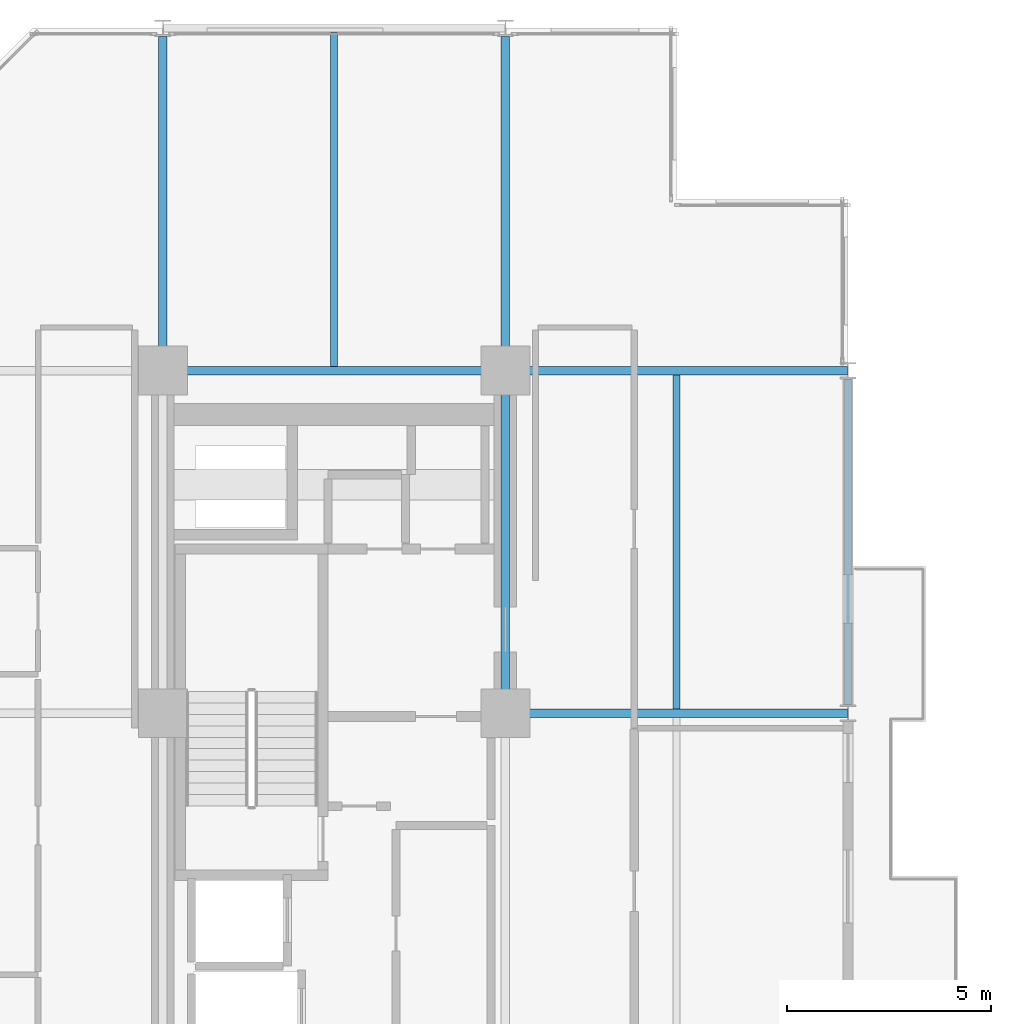
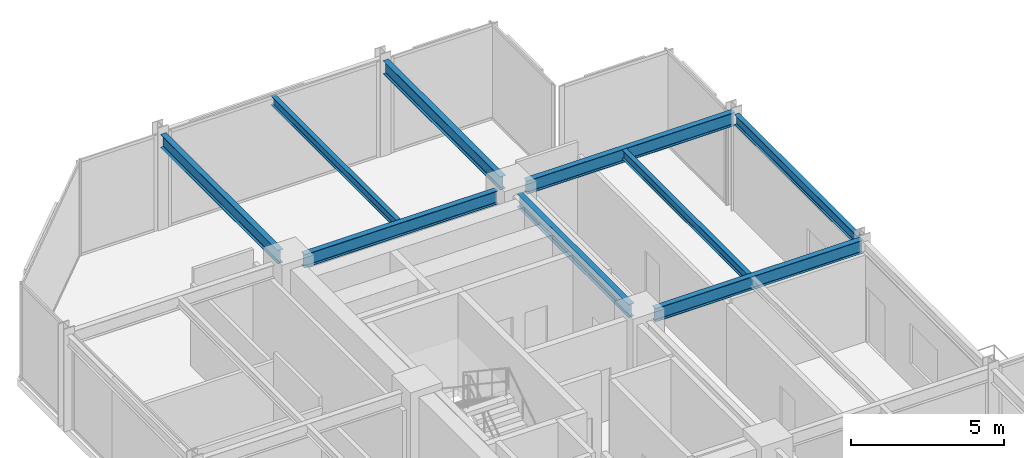
# One storey, part 19 of 29: 9 beams.
"""IFC4 building model written with IfcOpenShell, lengths in metres."""

from ifc_helpers import new_model, si_unit, direction, frame, origin, origin_2d, place, context, subcontext, project, spatial, i_section, extrude, material, material_profile, profile_set, type_object, element, save


model = new_model("IFC4")

# Units and contexts
model_context = context("Model", 3, precision=1e-05, world=origin(), true_north=direction((0.0, 1.0)))
body_context = subcontext(model_context, "Body", "Model", "MODEL_VIEW")
ifc_project = project(units=[si_unit("LENGTHUNIT", "METRE"), si_unit("AREAUNIT", "SQUARE_METRE"), si_unit("VOLUMEUNIT", "CUBIC_METRE"), si_unit("PLANEANGLEUNIT", "RADIAN"), si_unit("MASSUNIT", "GRAM", prefix="KILO")], contexts=[model_context])

# Site, building, storey
site_placement = place(None, origin())
site = spatial("IfcSite", under=ifc_project, at=site_placement, CompositionType="ELEMENT")
building_placement = place(site_placement, origin())
building = spatial("IfcBuilding", under=site, at=building_placement, Name="Nerrivon Quay Data Exchange", CompositionType="ELEMENT")
storey_placement = place(building_placement, frame((0.0, 0.0, 133.60009765625)))
storey = spatial("IfcBuildingStorey", under=building, at=storey_placement, Name="L31", CompositionType="ELEMENT", Elevation=133.60009765625)

# Beams
ifc_material = material(Name="Steel Grade 350", Category="steel")
ifc_material_profile_1 = material_profile(ifc_material, i_section(OverallWidth=0.208984375, OverallDepth=0.532958984375, WebThickness=0.01025390625, FlangeThickness=0.015625, FilletRadius=0.013916015625, at=origin_2d()), Name="530UB92.4")
ifc_profile_set_1 = profile_set([ifc_material_profile_1], Name="Steel Grade 350")
beam_type_1 = type_object("IfcBeamType", Name="BM-G3-530UB92", PredefinedType="BEAM", material=ifc_profile_set_1)
beam_1_placement = place(storey_placement, frame((17.340087890625, 33.60009765625, 3.558349609375), z_axis=(1.0, 0.0, 0.0), x_axis=(0.0, 1.0, 0.0)))
element("IfcBeam", 1, at=beam_1_placement, inside=storey, type_object=beam_type_1, Name="L31 EW Girder Y=33.6 (16.8..25.2)", PredefinedType="BEAM", context=body_context, shape_type="SweptSolid", body=[
    extrude(i_section(OverallWidth=0.208984375, OverallDepth=0.532958984375, WebThickness=0.01025390625, FlangeThickness=0.015625, FilletRadius=0.013916015625, at=origin_2d()), origin(), (0.0, 0.0, 1.0), 7.847412109375),
])
beam_2_placement = place(storey_placement, frame((8.93994140625, 42.0, 3.558349609375), z_axis=(1.0, 0.0, 0.0), x_axis=(0.0, 1.0, 0.0)))
element("IfcBeam", 2, at=beam_2_placement, inside=storey, type_object=beam_type_1, Name="L31 EW Girder Y=42.0 (8.4..16.8)", PredefinedType="BEAM", context=body_context, shape_type="SweptSolid", body=[
    extrude(i_section(OverallWidth=0.208984375, OverallDepth=0.532958984375, WebThickness=0.01025390625, FlangeThickness=0.015625, FilletRadius=0.013916015625, at=origin_2d()), origin(), (0.0, 0.0, 1.0), 7.320068359375),
])
beam_3_placement = place(storey_placement, frame((17.340087890625, 42.0, 3.558349609375), z_axis=(1.0, 0.0, 0.0), x_axis=(0.0, 1.0, 0.0)))
element("IfcBeam", 3, at=beam_3_placement, inside=storey, type_object=beam_type_1, Name="L31 EW Girder Y=42.0 (16.8..25.2)", PredefinedType="BEAM", context=body_context, shape_type="SweptSolid", body=[
    extrude(i_section(OverallWidth=0.208984375, OverallDepth=0.532958984375, WebThickness=0.01025390625, FlangeThickness=0.015625, FilletRadius=0.013916015625, at=origin_2d()), origin(), (0.0, 0.0, 1.0), 7.847412109375),
])
ifc_material_profile_2 = material_profile(ifc_material, i_section(OverallWidth=0.208984375, OverallDepth=0.528076171875, WebThickness=0.009521484375, FlangeThickness=0.01318359375, FilletRadius=0.013916015625, at=origin_2d()), Name="530UB82.0")
ifc_profile_set_2 = profile_set([ifc_material_profile_2], Name="Steel Grade 350")
beam_type_2 = type_object("IfcBeamType", Name="BM-G4-530UB82", PredefinedType="BEAM", material=ifc_profile_set_2)
beam_4_placement = place(storey_placement, frame((8.39990234375, 42.5400390625, 3.560791015625), z_axis=(0.0, 1.0, 0.0), x_axis=(-1.0, 0.0, 0.0)))
element("IfcBeam", 4, at=beam_4_placement, inside=storey, type_object=beam_type_2, Name="L31 NS Girder X=8.4 (42.0..50.4)", PredefinedType="BEAM", context=body_context, shape_type="SweptSolid", body=[
    extrude(i_section(OverallWidth=0.208984375, OverallDepth=0.528076171875, WebThickness=0.009521484375, FlangeThickness=0.01318359375, FilletRadius=0.013916015625, at=origin_2d()), origin(), (0.0, 0.0, 1.0), 7.659912109375),
])
beam_5_placement = place(storey_placement, frame((16.800048828125, 34.139892578125, 3.560791015625), z_axis=(0.0, 1.0, 0.0), x_axis=(-1.0, 0.0, 0.0)))
element("IfcBeam", 5, at=beam_5_placement, inside=storey, type_object=beam_type_2, Name="L31 NS Girder X=16.8 (33.6..42.0)", PredefinedType="BEAM", context=body_context, shape_type="SweptSolid", body=[
    extrude(i_section(OverallWidth=0.208984375, OverallDepth=0.528076171875, WebThickness=0.009521484375, FlangeThickness=0.01318359375, FilletRadius=0.013916015625, at=origin_2d()), origin(), (0.0, 0.0, 1.0), 7.320068359375),
])
beam_6_placement = place(storey_placement, frame((16.800048828125, 42.5400390625, 3.560791015625), z_axis=(0.0, 1.0, 0.0), x_axis=(-1.0, 0.0, 0.0)))
element("IfcBeam", 6, at=beam_6_placement, inside=storey, type_object=beam_type_2, Name="L31 NS Girder X=16.8 (42.0..50.4)", PredefinedType="BEAM", context=body_context, shape_type="SweptSolid", body=[
    extrude(i_section(OverallWidth=0.208984375, OverallDepth=0.528076171875, WebThickness=0.009521484375, FlangeThickness=0.01318359375, FilletRadius=0.013916015625, at=origin_2d()), origin(), (0.0, 0.0, 1.0), 7.659912109375),
])
ifc_material_profile_3 = material_profile(ifc_material, i_section(OverallWidth=0.1708984375, OverallDepth=0.35595703125, WebThickness=0.00732421875, FlangeThickness=0.011474609375, FilletRadius=0.011474609375, at=origin_2d()), Name="360UB50.7")
ifc_profile_set_3 = profile_set([ifc_material_profile_3], Name="Steel Grade 350")
beam_type_3 = type_object("IfcBeamType", Name="BM-J4-360UB51", PredefinedType="JOIST", material=ifc_profile_set_3)
beam_7_placement = place(storey_placement, frame((12.60009765625, 42.1044921875, 3.64697265625), z_axis=(0.0, 1.0, 0.0), x_axis=(-1.0, 0.0, 0.0)))
element("IfcBeam", 7, at=beam_7_placement, inside=storey, type_object=beam_type_3, Name="L31 Secondary Joist X=12.6 (42.0..50.4)", PredefinedType="JOIST", context=body_context, shape_type="SweptSolid", body=[
    extrude(i_section(OverallWidth=0.1708984375, OverallDepth=0.35595703125, WebThickness=0.00732421875, FlangeThickness=0.011474609375, FilletRadius=0.011474609375, at=origin_2d()), origin(), (0.0, 0.0, 1.0), 8.20654296875),
])
beam_8_placement = place(storey_placement, frame((21.0, 33.70458984375, 3.64697265625), z_axis=(0.0, 1.0, 0.0), x_axis=(-1.0, 0.0, 0.0)))
element("IfcBeam", 8, at=beam_8_placement, inside=storey, type_object=beam_type_3, Name="L31 Secondary Joist X=21.0 (33.6..42.0)", PredefinedType="JOIST", context=body_context, shape_type="SweptSolid", body=[
    extrude(i_section(OverallWidth=0.1708984375, OverallDepth=0.35595703125, WebThickness=0.00732421875, FlangeThickness=0.011474609375, FilletRadius=0.011474609375, at=origin_2d()), origin(), (0.0, 0.0, 1.0), 8.19091796875),
])
ifc_material_profile_4 = material_profile(ifc_material, i_section(OverallWidth=0.177978515625, OverallDepth=0.403076171875, WebThickness=0.007568359375, FlangeThickness=0.010986328125, FilletRadius=0.011474609375, at=origin_2d()), Name="410UB53.7")
ifc_profile_set_4 = profile_set([ifc_material_profile_4], Name="Steel Grade 350")
beam_type_4 = type_object("IfcBeamType", Name="BM-SP2-410UB54", PredefinedType="SPANDREL", material=ifc_profile_set_4)
beam_9_placement = place(storey_placement, frame((25.199951171875, 33.800048828125, 3.623291015625), z_axis=(0.0, 1.0, 0.0), x_axis=(-1.0, 0.0, 0.0)))
element("IfcBeam", 9, at=beam_9_placement, inside=storey, type_object=beam_type_4, Name="L31 NS Girder X=25.2 (33.6..42.0)", PredefinedType="SPANDREL", context=body_context, shape_type="SweptSolid", body=[
    extrude(i_section(OverallWidth=0.177978515625, OverallDepth=0.403076171875, WebThickness=0.007568359375, FlangeThickness=0.010986328125, FilletRadius=0.011474609375, at=origin_2d()), origin(), (0.0, 0.0, 1.0), 8.0),
])

save(model, "model.ifc")
